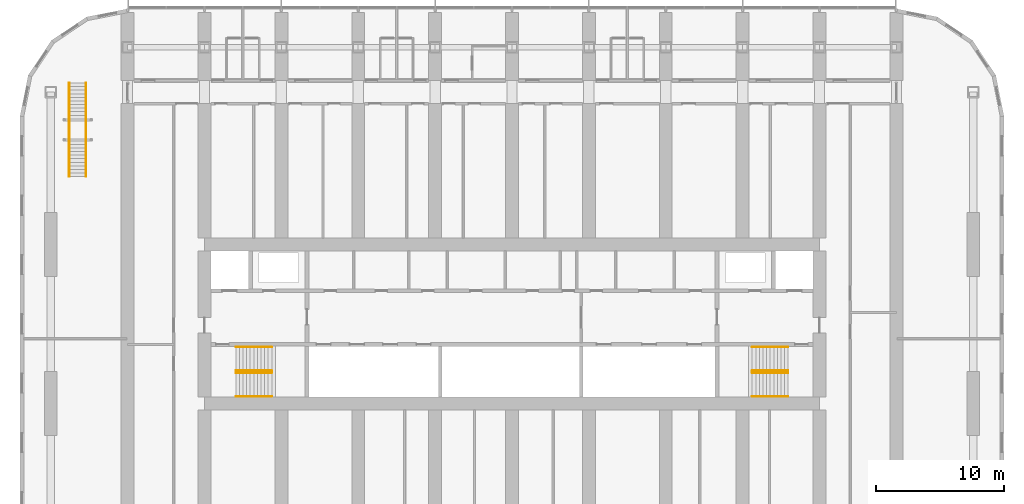
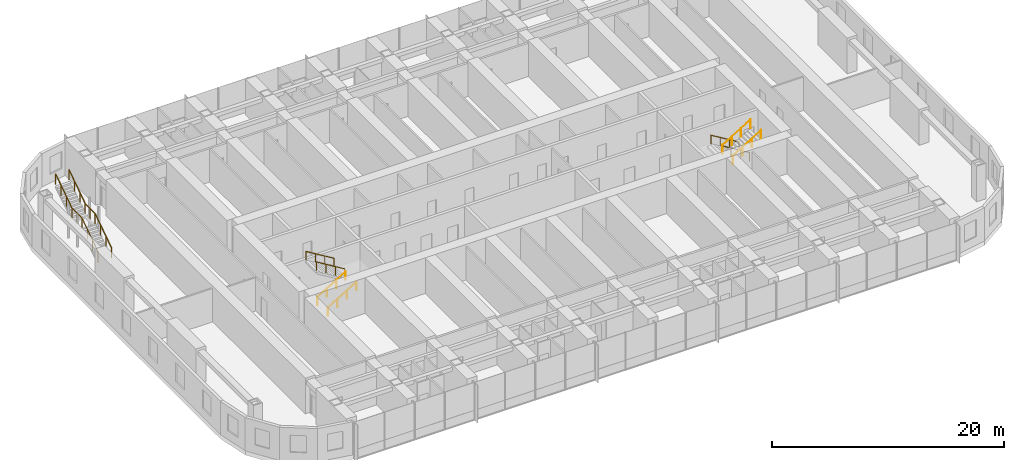
# One storey, part 26 of 26: 10 railings.
"""IFC4 building model written with IfcOpenShell, lengths in metres."""

from ifc_helpers import new_model, si_unit, direction, frame, origin, origin_2d, place, context, subcontext, project, spatial, circle, extrude, material, type_object, element, save


model = new_model("IFC4")

# Units and contexts
model_context = context("Model", 3, precision=1e-05, world=origin(), true_north=direction((0.0, 1.0)))
body_context = subcontext(model_context, "Body", "Model", "MODEL_VIEW")
ifc_project = project(units=[si_unit("LENGTHUNIT", "METRE"), si_unit("AREAUNIT", "SQUARE_METRE"), si_unit("VOLUMEUNIT", "CUBIC_METRE"), si_unit("PLANEANGLEUNIT", "RADIAN"), si_unit("MASSUNIT", "GRAM", prefix="KILO")], contexts=[model_context])

# Site, building, storey
site_placement = place(None, origin())
site = spatial("IfcSite", under=ifc_project, at=site_placement, CompositionType="ELEMENT")
building_placement = place(site_placement, origin())
building = spatial("IfcBuilding", under=site, at=building_placement, Name="Orbita Commons", CompositionType="ELEMENT")
storey_placement = place(building_placement, frame((0.0, 0.0, 53.949951171875)))
storey = spatial("IfcBuildingStorey", under=building, at=storey_placement, Name="L13", CompositionType="ELEMENT", Elevation=53.949951171875)

# Railings
ifc_material_1 = material(Name="Laminated glass, steel handrail", Category="steel")
railing_type_1 = type_object("IfcRailingType", Name="Feature stair balustrade, glass on steel stringer 1100", PredefinedType="BALUSTRADE", material=ifc_material_1)
for number, where, name in (
    (1, (7.43994140625, 43.5, 0.0), "Neighbourhood stair L13 to L14 balustrade L"),
    (2, (8.760009765625, 43.5, 0.0), "Neighbourhood stair L13 to L14 balustrade R"),
):
    element("IfcRailing", number, at=place(storey_placement, frame(where)), inside=storey, type_object=railing_type_1, Name=name, PredefinedType="BALUSTRADE", context=body_context, shape_type="SweptSolid", body=[
        extrude(circle(Radius=0.02490234375, at=origin_2d()), frame((0.0, 0.0, 1.0751953125), z_axis=(0.0, 0.830911662861, 0.55640435703), x_axis=(-1.0, 0.0, 0.0)), (0.0, 0.0, 1.0), 3.369873046875),
        extrude(circle(Radius=0.02490234375, at=origin_2d()), frame((0.0, 2.800048828125, 2.9501953125), z_axis=(0.0, 1.0, 0.0), x_axis=(-1.0, 0.0, 0.0)), (0.0, 0.0, 1.0), 1.7099609375),
        extrude(circle(Radius=0.02490234375, at=origin_2d()), frame((0.0, 4.510009765625, 2.9501953125), z_axis=(0.0, 0.830911662861, 0.55640435703), x_axis=(-1.0, 0.0, 0.0)), (0.0, 0.0, 1.0), 3.369873046875),
        extrude(circle(Radius=0.02001953125, at=origin_2d()), origin(), (0.0, 0.0, 1.0), 1.050048828125),
        extrude(circle(Radius=0.02001953125, at=origin_2d()), frame((0.0, 0.933349609375, 0.625)), (0.0, 0.0, 1.0), 1.050048828125),
        extrude(circle(Radius=0.02001953125, at=origin_2d()), frame((0.0, 1.86669921875, 1.25)), (0.0, 0.0, 1.0), 1.050048828125),
        extrude(circle(Radius=0.02001953125, at=origin_2d()), frame((0.0, 2.800048828125, 1.875)), (0.0, 0.0, 1.0), 1.050048828125),
        extrude(circle(Radius=0.02001953125, at=origin_2d()), frame((0.0, 3.655029296875, 1.875)), (0.0, 0.0, 1.0), 1.050048828125),
        extrude(circle(Radius=0.02001953125, at=origin_2d()), frame((0.0, 4.510009765625, 1.875)), (0.0, 0.0, 1.0), 1.050048828125),
        extrude(circle(Radius=0.02001953125, at=origin_2d()), frame((0.0, 5.443359375, 2.5)), (0.0, 0.0, 1.0), 1.050048828125),
        extrude(circle(Radius=0.02001953125, at=origin_2d()), frame((0.0, 6.376708984375, 3.125)), (0.0, 0.0, 1.0), 1.050048828125),
        extrude(circle(Radius=0.02001953125, at=origin_2d()), frame((0.0, 7.31005859375, 3.75)), (0.0, 0.0, 1.0), 1.050048828125),
    ])
ifc_material_2 = material(Name="Steel tube, painted", Category="steel")
railing_type_2 = type_object("IfcRailingType", Name="Stair handrail steel tube 900", PredefinedType="HANDRAIL", material=ifc_material_2)
for number, where, name in (
    (3, (20.449951171875, 28.18994140625, 0.17041015625), "Stair S1 handrail L13 flight 1"),
    (4, (20.449951171875, 26.360107421875, 0.17041015625), "Stair S1 handrail L13 flight 1"),
):
    element("IfcRailing", number, at=place(storey_placement, frame(where)), inside=storey, type_object=railing_type_2, Name=name, PredefinedType="HANDRAIL", context=body_context, shape_type="SweptSolid", body=[
        extrude(circle(Radius=0.02099609375, at=origin_2d()), frame((0.0, 0.0, 0.87890625), z_axis=(0.854169791009, 0.0, 0.51999420009), x_axis=(0.0, 1.0, 0.0)), (0.0, 0.0, 1.0), 3.278076171875),
        extrude(circle(Radius=0.02001953125, at=origin_2d()), origin(), (0.0, 0.0, 1.0), 0.85791015625),
        extrude(circle(Radius=0.02001953125, at=origin_2d()), frame((0.933349609375, 0.0, 0.568115234375)), (0.0, 0.0, 1.0), 0.85791015625),
        extrude(circle(Radius=0.02001953125, at=origin_2d()), frame((1.86669921875, 0.0, 1.136474609375)), (0.0, 0.0, 1.0), 0.85791015625),
        extrude(circle(Radius=0.02001953125, at=origin_2d()), frame((2.800048828125, 0.0, 1.70458984375)), (0.0, 0.0, 1.0), 0.85791015625),
    ])
for number, where, name in (
    (5, (23.25, 28.360107421875, 2.04541015625), "Stair S1 handrail L13 flight 2"),
    (6, (23.25, 30.18994140625, 2.04541015625), "Stair S1 handrail L13 flight 2"),
    (7, (63.550048828125, 28.360107421875, 0.17041015625), "Stair S2 handrail L13 flight 1"),
    (8, (63.550048828125, 30.18994140625, 0.17041015625), "Stair S2 handrail L13 flight 1"),
):
    element("IfcRailing", number, at=place(storey_placement, frame(where)), inside=storey, type_object=railing_type_2, Name=name, PredefinedType="HANDRAIL", context=body_context, shape_type="SweptSolid", body=[
        extrude(circle(Radius=0.02099609375, at=origin_2d()), frame((0.0, 0.0, 0.87890625), z_axis=(-0.854169791009, 0.0, 0.51999420009), x_axis=(0.0, -1.0, 0.0)), (0.0, 0.0, 1.0), 3.278076171875),
        extrude(circle(Radius=0.02001953125, at=origin_2d()), origin(), (0.0, 0.0, 1.0), 0.85791015625),
        extrude(circle(Radius=0.02001953125, at=origin_2d()), frame((-0.933349609375, 0.0, 0.568115234375)), (0.0, 0.0, 1.0), 0.85791015625),
        extrude(circle(Radius=0.02001953125, at=origin_2d()), frame((-1.86669921875, 0.0, 1.136474609375)), (0.0, 0.0, 1.0), 0.85791015625),
        extrude(circle(Radius=0.02001953125, at=origin_2d()), frame((-2.800048828125, 0.0, 1.70458984375)), (0.0, 0.0, 1.0), 0.85791015625),
    ])
for number, where, name in (
    (9, (60.75, 28.18994140625, 2.04541015625), "Stair S2 handrail L13 flight 2"),
    (10, (60.75, 26.360107421875, 2.04541015625), "Stair S2 handrail L13 flight 2"),
):
    element("IfcRailing", number, at=place(storey_placement, frame(where)), inside=storey, type_object=railing_type_2, Name=name, PredefinedType="HANDRAIL", context=body_context, shape_type="SweptSolid", body=[
        extrude(circle(Radius=0.02099609375, at=origin_2d()), frame((0.0, 0.0, 0.87890625), z_axis=(0.854169791009, 0.0, 0.51999420009), x_axis=(0.0, 1.0, 0.0)), (0.0, 0.0, 1.0), 3.278076171875),
        extrude(circle(Radius=0.02001953125, at=origin_2d()), origin(), (0.0, 0.0, 1.0), 0.85791015625),
        extrude(circle(Radius=0.02001953125, at=origin_2d()), frame((0.933349609375, 0.0, 0.568115234375)), (0.0, 0.0, 1.0), 0.85791015625),
        extrude(circle(Radius=0.02001953125, at=origin_2d()), frame((1.86669921875, 0.0, 1.136474609375)), (0.0, 0.0, 1.0), 0.85791015625),
        extrude(circle(Radius=0.02001953125, at=origin_2d()), frame((2.800048828125, 0.0, 1.70458984375)), (0.0, 0.0, 1.0), 0.85791015625),
    ])

save(model, "model.ifc")
